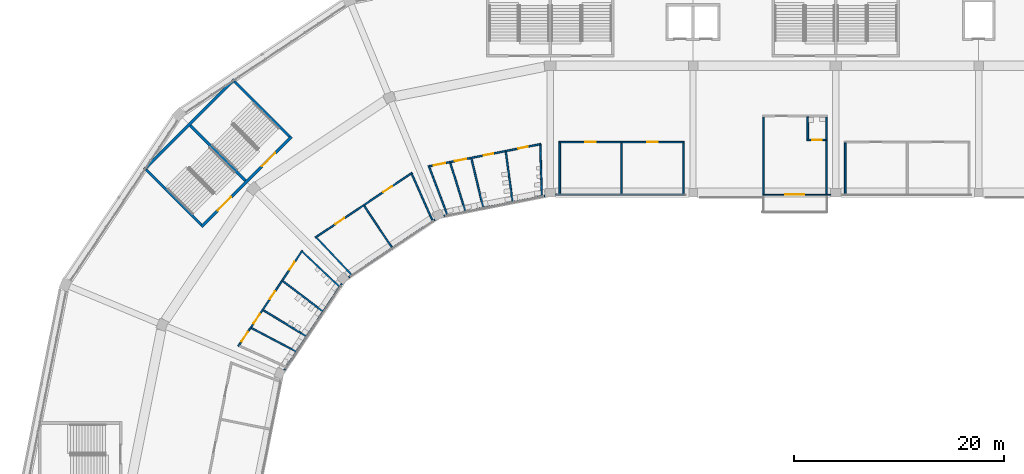
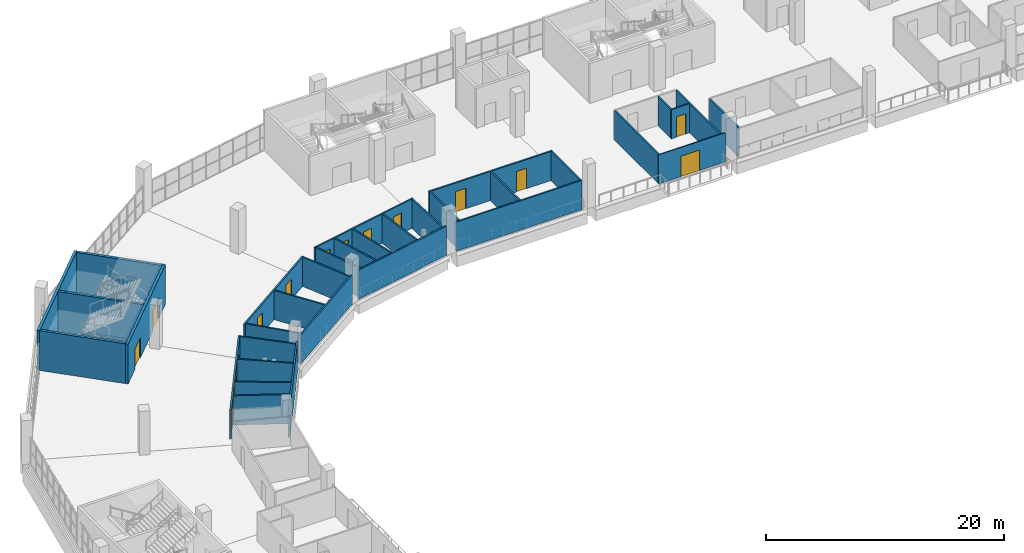
# One storey, part 83 of 199: 34 walls, 16 doors, 16 openings.
"""IFC4 building model written with IfcOpenShell, lengths in metres."""

import ifcopenshell
import ifcopenshell.guid

model = None  # the IFC model being written
_history = None  # IfcOwnerHistory: only IFC2X3 demands one
_inside = {}  # id of a spatial element -> (the spatial element, [elements in it])
_under = {}  # id of a project, library or spatial element -> (it, [spatial elements below it])
_declared = {}  # id of a project -> (the project, [libraries it declares])
_typed = {}  # id of a type object -> (the type object, [elements of that type])
_made_of = {}  # id of a material, layer set ... -> (it, [elements and type objects made of it])


def new_model(schema):
    """Start an empty IFC model of exactly this schema.

    Asked for "IFC4X3", IfcOpenShell would pick the latest addendum, in which some entities
    have other attributes; the version numbers below select the first issue.
    IFC2X3 requires an IfcOwnerHistory on every rooted entity: one is made here for all.
    """
    global model, _history
    if schema == "IFC4X3":
        model = ifcopenshell.file(schema_version=(4, 3, 0, 0))
    else:
        model = ifcopenshell.file(schema=schema)
    _inside.clear()
    _under.clear()
    _declared.clear()
    _typed.clear()
    _made_of.clear()
    _history = None
    if model.schema == "IFC2X3":
        org = make("IfcOrganization", Name="unknown")
        user = make(
            "IfcPersonAndOrganization",
            ThePerson=make("IfcPerson", FamilyName="unknown"),
            TheOrganization=org,
        )
        app = make(
            "IfcApplication",
            ApplicationDeveloper=org,
            Version="unknown",
            ApplicationFullName="unknown",
            ApplicationIdentifier="unknown",
        )
        _history = make(
            "IfcOwnerHistory",
            OwningUser=user,
            OwningApplication=app,
            ChangeAction="ADDED",
            CreationDate=0,
        )
    return model


def make(cls, **values):
    """One entity of the class cls with the attributes given. An attribute that is None is left unset."""
    return model.create_entity(
        cls, **{name: value for name, value in values.items() if value is not None}
    )


def rooted(cls, **values):
    """An entity with a GlobalId (a new one), such as an element, a storey or a relation."""
    return make(cls, GlobalId=ifcopenshell.guid.new(), OwnerHistory=_history, **values)


def si_unit(unit_type, name, prefix=None):
    """IfcSIUnit, for example si_unit("LENGTHUNIT", "METRE", prefix="MILLI")."""
    return make("IfcSIUnit", UnitType=unit_type, Prefix=prefix, Name=name)


def assignment(units):
    """IfcUnitAssignment: the units of a project."""
    return None if units is None else make("IfcUnitAssignment", Units=units)


def point(xyz):
    """IfcCartesianPoint."""
    return None if xyz is None else make("IfcCartesianPoint", Coordinates=xyz)


def direction(xyz):
    """IfcDirection."""
    return None if xyz is None else make("IfcDirection", DirectionRatios=xyz)


def frame(location, z_axis=None, x_axis=None):
    """IfcAxis2Placement3D, a coordinate frame: its origin and axes. An axis left out is left unset."""
    return make(
        "IfcAxis2Placement3D",
        Location=point(location),
        Axis=direction(z_axis),
        RefDirection=direction(x_axis),
    )


def frame_2d(location, x_axis=None):
    """IfcAxis2Placement2D, a coordinate frame in the plane: its origin and x axis."""
    return make(
        "IfcAxis2Placement2D", Location=point(location), RefDirection=direction(x_axis)
    )


def origin():
    """The frame at (0, 0, 0) with its axes left unset."""
    return frame((0.0, 0.0, 0.0))


def place(relative_to, where):
    """IfcLocalPlacement: puts the frame where relative to a parent placement (None: the world)."""
    return make(
        "IfcLocalPlacement", PlacementRelTo=relative_to, RelativePlacement=where
    )


def context(
    kind, dimensions, precision=None, world=None, true_north=None, identifier=None
):
    """IfcGeometricRepresentationContext, for example the 3D "Model" context."""
    return make(
        "IfcGeometricRepresentationContext",
        ContextIdentifier=identifier,
        ContextType=kind,
        CoordinateSpaceDimension=dimensions,
        Precision=precision,
        WorldCoordinateSystem=world,
        TrueNorth=true_north,
    )


def subcontext(parent, identifier, kind, view, scale=None):
    """IfcGeometricRepresentationSubContext, for example "Body" below "Model"."""
    return make(
        "IfcGeometricRepresentationSubContext",
        ContextIdentifier=identifier,
        ContextType=kind,
        ParentContext=parent,
        TargetScale=scale,
        TargetView=view,
    )


def project(units=None, contexts=None):
    """IfcProject with its units and contexts."""
    return rooted(
        "IfcProject",
        Name="project",
        RepresentationContexts=contexts,
        UnitsInContext=assignment(units),
    )


def spatial(cls, under=None, at=None, **own):
    """A site, building, storey or space (cls), placed at a placement, below another one or the project."""
    s = rooted(cls, ObjectPlacement=at, **own)
    if under is not None:
        _under.setdefault(under.id(), (under, []))[1].append(s)
    return s


def profile(cls, at=None, kind="AREA", **sizes):
    """A parametric profile (cls). Its sizes go by their IFC names, for example OverallWidth=200.0."""
    return make(cls, ProfileType=kind, Position=at, **sizes)


def rectangle(**sizes):
    """IfcRectangleProfileDef."""
    return profile("IfcRectangleProfileDef", **sizes)


def extrude(swept, where, along, depth):
    """IfcExtrudedAreaSolid: the profile swept, set in the frame where, extruded along a direction by depth."""
    return make(
        "IfcExtrudedAreaSolid",
        SweptArea=swept,
        Position=where,
        ExtrudedDirection=direction(along),
        Depth=depth,
    )


def shape(context_of_items, identifier, shape_type, items):
    """IfcShapeRepresentation: the items that make up one representation, for example the "Body"."""
    return make(
        "IfcShapeRepresentation",
        ContextOfItems=context_of_items,
        RepresentationIdentifier=identifier,
        RepresentationType=shape_type,
        Items=items,
    )


def material(Name=None, Category=None):
    """IfcMaterial."""
    return make("IfcMaterial", Name=Name, Category=Category)


def layer(
    of_material, thickness, ventilated=None, Name=None, Category=None, Priority=None
):
    """IfcMaterialLayer: one layer of a wall or slab, of a material (None: an air gap)."""
    return make(
        "IfcMaterialLayer",
        Material=of_material,
        LayerThickness=thickness,
        IsVentilated=ventilated,
        Name=Name,
        Category=Category,
        Priority=Priority,
    )


def layer_set(layers, Name=None):
    """IfcMaterialLayerSet."""
    return make("IfcMaterialLayerSet", MaterialLayers=layers, LayerSetName=Name)


def made_of(thing, what):
    """Note that an element or type object is made of a material, layer set ...; save() writes the relation."""
    if what is not None:
        _made_of.setdefault(what.id(), (what, []))[1].append(thing)
    return thing


def type_object(cls, material=None, **own):
    """A type object (cls), such as IfcWallType, which elements share."""
    return made_of(rooted(cls, **own), material)


def element(
    cls,
    number,
    at=None,
    inside=None,
    cuts=None,
    type_object=None,
    material=None,
    context=None,
    identifier="Body",
    shape_type=None,
    held_by="IfcProductDefinitionShape",
    body=None,
    shapes=None,
    **own,
):
    """One element of the class cls, such as IfcWall. Its Tag is "e" and its number.

    at: its placement. inside: the storey or other place that contains it. cuts: it is an
    opening in that element (IfcRelVoidsElement). A single representation is given by context,
    identifier, shape_type and body (its items); several are given by shapes. held_by: the class
    of the entity that holds the representations. save() writes the other relations.
    """
    e = rooted(cls, Tag="e%d" % number, ObjectPlacement=at, **own)
    if body is not None:
        shapes = [shape(context, identifier, shape_type, body)]
    if shapes is not None:
        e.Representation = make(held_by, Representations=shapes)
    if inside is not None:
        _inside.setdefault(inside.id(), (inside, []))[1].append(e)
    if cuts is not None:
        rooted(
            "IfcRelVoidsElement", RelatingBuildingElement=cuts, RelatedOpeningElement=e
        )
    if type_object is not None:
        _typed.setdefault(type_object.id(), (type_object, []))[1].append(e)
    return made_of(e, material)


def fill(opening, filler):
    """IfcRelFillsElement: the door or window that sits in an opening."""
    return rooted(
        "IfcRelFillsElement",
        RelatingOpeningElement=opening,
        RelatedBuildingElement=filler,
    )


def aggregate(whole, parts):
    """IfcRelAggregates: a whole, such as a stair, and the parts it consists of."""
    return rooted("IfcRelAggregates", RelatingObject=whole, RelatedObjects=parts)


def save(model, path):
    """Write the relations noted so far, then the file.

    IfcRelAggregates (storeys below a building ...), IfcRelContainedInSpatialStructure (elements
    in a storey), IfcRelDefinesByType, IfcRelAssociatesMaterial and IfcRelDeclares: one each for
    every whole, place, type object, material and project.
    """
    for whole, parts in _under.values():
        aggregate(whole, parts)
    for where, things in _inside.values():
        rooted(
            "IfcRelContainedInSpatialStructure",
            RelatedElements=things,
            RelatingStructure=where,
        )
    for kind, things in _typed.values():
        rooted("IfcRelDefinesByType", RelatedObjects=things, RelatingType=kind)
    for what, things in _made_of.values():
        rooted("IfcRelAssociatesMaterial", RelatedObjects=things, RelatingMaterial=what)
    for by, libraries in _declared.values():
        rooted("IfcRelDeclares", RelatingContext=by, RelatedDefinitions=libraries)
    model.write(path)


model = new_model("IFC4")

# Units and contexts
model_context = context("Model", 3, precision=1e-05, world=origin(), true_north=direction((0.0, 1.0)))
body_context = subcontext(model_context, "Body", "Model", "MODEL_VIEW")
ifc_project = project(units=[si_unit("LENGTHUNIT", "METRE"), si_unit("AREAUNIT", "SQUARE_METRE"), si_unit("VOLUMEUNIT", "CUBIC_METRE"), si_unit("PLANEANGLEUNIT", "RADIAN"), si_unit("MASSUNIT", "GRAM", prefix="KILO")], contexts=[model_context])

# Site, building, storey
site_placement = place(None, origin())
site = spatial("IfcSite", under=ifc_project, at=site_placement, CompositionType="ELEMENT")
building_placement = place(site_placement, origin())
building = spatial("IfcBuilding", under=site, at=building_placement, Name="Ogive Plaza Stadium", CompositionType="ELEMENT")
storey_placement = place(building_placement, frame((0.0, 0.0, 9.0)))
storey = spatial("IfcBuildingStorey", under=building, at=storey_placement, Name="L02", CompositionType="ELEMENT", Elevation=9.0)

# Wall
ifc_material_1 = material(Name="Masonry blockwork", Category="masonry")
ifc_layer_1 = layer(ifc_material_1, 0.14990234375)
ifc_layer_set_1 = layer_set([ifc_layer_1], Name="Blockwork wall 150")
wall_type_1 = type_object("IfcWallType", Name="Blockwork wall 150", PredefinedType="SOLIDWALL", material=ifc_layer_set_1)
wall_1_placement = place(storey_placement, frame((-53.205322265625, 72.341796875, 0.0), z_axis=(0.0, 0.0, 1.0), x_axis=(0.831461186136, 0.555582843463, 0.0)))
element("IfcWall", 1, at=wall_1_placement, inside=storey, type_object=wall_type_1, Name="Wall L02 B30", PredefinedType="SOLIDWALL", context=body_context, shape_type="SweptSolid", body=[
    extrude(rectangle(XDim=9.890380859375, YDim=0.14990234375, at=frame_2d((4.9453125, 0.0))), origin(), (0.0, 0.0, 1.0), 3.0),
])

# Wall, openings, doors
wall_2_placement = place(storey_placement, frame((-56.379638671875, 76.11865234375, 0.0), z_axis=(0.0, 0.0, 1.0), x_axis=(0.831471162003, 0.555567913722, 0.0)))
wall_2 = element("IfcWall", 2, at=wall_2_placement, inside=storey, type_object=wall_type_1, Name="Wall L02 B30", PredefinedType="SOLIDWALL", context=body_context, shape_type="SweptSolid", body=[
    extrude(rectangle(XDim=11.09912109375, YDim=0.14990234375, at=frame_2d((5.549560546875, 0.0))), origin(), (0.0, 0.0, 1.0), 3.0),
])
opening_1_placement = place(wall_2_placement, frame((2.3154296875, 0.0, 0.0)))
opening_1 = element("IfcOpeningElement", 3, at=opening_1_placement, cuts=wall_2, Name="Opening D0719", PredefinedType="OPENING", context=body_context, shape_type="SweptSolid", body=[
    extrude(rectangle(XDim=1.0, YDim=2.10009765625, at=frame_2d((0.5, 1.050048828125))), frame((0.0, 0.074951171875, 0.0), z_axis=(0.0, -1.0, 0.0), x_axis=(1.0, 0.0, 0.0)), (0.0, 0.0, 1.0), 0.14990234375),
])
opening_2_placement = place(wall_2_placement, frame((7.78369140625, 0.0, 0.0)))
opening_2 = element("IfcOpeningElement", 4, at=opening_2_placement, cuts=wall_2, Name="Opening D0720", PredefinedType="OPENING", context=body_context, shape_type="SweptSolid", body=[
    extrude(rectangle(XDim=1.0, YDim=2.10009765625, at=frame_2d((0.5, 1.050048828125))), frame((0.0, 0.074951171875, 0.0), z_axis=(0.0, -1.0, 0.0), x_axis=(1.0, 0.0, 0.0)), (0.0, 0.0, 1.0), 0.14990234375),
])
ifc_material_2 = material(Name="Steel ASTM A572 Grade 50", Category="steel")
door_type_1 = type_object("IfcDoorType", Name="Fire door FD60 1000 x 2100", OperationType="SINGLE_SWING_LEFT", PredefinedType="DOOR", material=ifc_material_2)
door_1_placement = place(opening_1_placement, origin())
door_1 = element("IfcDoor", 5, at=door_1_placement, inside=storey, type_object=door_type_1, Name="Hospitality Pantry B30 door", OperationType="SINGLE_SWING_LEFT", OverallHeight=2.10009765625, OverallWidth=1.0, PredefinedType="DOOR", context=body_context, shape_type="SweptSolid", body=[
    extrude(rectangle(XDim=1.0, YDim=2.10009765625, at=frame_2d((0.5, 1.050048828125))), frame((0.0, 0.02490234375, 0.0), z_axis=(0.0, -1.0, 0.0), x_axis=(1.0, 0.0, 0.0)), (0.0, 0.0, 1.0), 0.050048828125),
])
fill(opening_1, door_1)
door_2_placement = place(opening_2_placement, origin())
door_2 = element("IfcDoor", 6, at=door_2_placement, inside=storey, type_object=door_type_1, Name="Hospitality Store B30 door", OperationType="SINGLE_SWING_RIGHT", OverallHeight=2.10009765625, OverallWidth=1.0, PredefinedType="DOOR", context=body_context, shape_type="SweptSolid", body=[
    extrude(rectangle(XDim=1.0, YDim=2.10009765625, at=frame_2d((0.5, 1.050048828125))), frame((0.0, 0.02490234375, 0.0), z_axis=(0.0, -1.0, 0.0), x_axis=(1.0, 0.0, 0.0)), (0.0, 0.0, 1.0), 0.050048828125),
])
fill(opening_2, door_2)

# Walls
wall_3_placement = place(storey_placement, frame((-52.95166015625, 72.599853515625, 0.0), z_axis=(0.0, 0.0, 1.0), x_axis=(-0.686025882093, 0.727577136184, 0.0)))
element("IfcWall", 7, at=wall_3_placement, inside=storey, type_object=wall_type_1, Name="Wall L02 B30", PredefinedType="SOLIDWALL", context=body_context, shape_type="SweptSolid", body=[
    extrude(rectangle(XDim=4.823974609375, YDim=0.14990234375, at=frame_2d((2.412109375, 0.0))), origin(), (0.0, 0.0, 1.0), 3.0),
])
wall_4_placement = place(storey_placement, frame((-49.089599609375, 75.18017578125, 0.0), z_axis=(0.0, 0.0, 1.0), x_axis=(-0.553930112441, 0.832563169093, 0.0)))
element("IfcWall", 8, at=wall_4_placement, inside=storey, type_object=wall_type_1, Name="Wall L02 B30", PredefinedType="SOLIDWALL", context=body_context, shape_type="SweptSolid", body=[
    extrude(rectangle(XDim=4.7568359375, YDim=0.14990234375, at=frame_2d((2.37841796875, 0.0))), origin(), (0.0, 0.0, 1.0), 3.0),
])
wall_5_placement = place(storey_placement, frame((-45.227783203125, 77.7607421875, 0.0), z_axis=(0.0, 0.0, 1.0), x_axis=(-0.406147851791, 0.913807377124, 0.0)))
element("IfcWall", 9, at=wall_5_placement, inside=storey, type_object=wall_type_1, Name="Wall L02 B30", PredefinedType="SOLIDWALL", context=body_context, shape_type="SweptSolid", body=[
    extrude(rectangle(XDim=4.826904296875, YDim=0.14990234375, at=frame_2d((2.41357421875, 0.0))), origin(), (0.0, 0.0, 1.0), 3.0),
])
wall_6_placement = place(storey_placement, frame((-33.5, 80.199951171875, 0.0), z_axis=(0.0, 0.0, 1.0), x_axis=(1.0, 0.0, 0.0)))
element("IfcWall", 10, at=wall_6_placement, inside=storey, type_object=wall_type_1, Name="Wall L02 B32", PredefinedType="SOLIDWALL", context=body_context, shape_type="SweptSolid", body=[
    extrude(rectangle(XDim=12.27490234375, YDim=0.14990234375, at=frame_2d((6.137451171875, 0.0))), origin(), (0.0, 0.0, 1.0), 3.0),
])

# Wall, openings, doors
wall_7_placement = place(storey_placement, frame((-33.175048828125, 85.199951171875, 0.0), z_axis=(0.0, 0.0, 1.0), x_axis=(1.0, 0.0, 0.0)))
wall_7 = element("IfcWall", 11, at=wall_7_placement, inside=storey, type_object=wall_type_1, Name="Wall L02 B32", PredefinedType="SOLIDWALL", context=body_context, shape_type="SweptSolid", body=[
    extrude(rectangle(XDim=11.949951171875, YDim=0.14990234375, at=frame_2d((5.97509765625, 0.0))), origin(), (0.0, 0.0, 1.0), 3.0),
])
opening_3_placement = place(wall_7_placement, frame((2.52490234375, 0.0, 0.0)))
opening_3 = element("IfcOpeningElement", 12, at=opening_3_placement, cuts=wall_7, Name="Opening D0725", PredefinedType="OPENING", context=body_context, shape_type="SweptSolid", body=[
    extrude(rectangle(XDim=1.0, YDim=2.10009765625, at=frame_2d((0.5, 1.050048828125))), frame((0.0, 0.074951171875, 0.0), z_axis=(0.0, -1.0, 0.0), x_axis=(1.0, 0.0, 0.0)), (0.0, 0.0, 1.0), 0.14990234375),
])
opening_4_placement = place(wall_7_placement, frame((8.425048828125, 0.0, 0.0)))
opening_4 = element("IfcOpeningElement", 13, at=opening_4_placement, cuts=wall_7, Name="Opening D0726", PredefinedType="OPENING", context=body_context, shape_type="SweptSolid", body=[
    extrude(rectangle(XDim=1.0, YDim=2.10009765625, at=frame_2d((0.5, 1.050048828125))), frame((0.0, 0.074951171875, 0.0), z_axis=(0.0, -1.0, 0.0), x_axis=(1.0, 0.0, 0.0)), (0.0, 0.0, 1.0), 0.14990234375),
])
door_3_placement = place(opening_3_placement, origin())
door_3 = element("IfcDoor", 14, at=door_3_placement, inside=storey, type_object=door_type_1, Name="Hospitality Pantry B32 door", OperationType="SINGLE_SWING_RIGHT", OverallHeight=2.10009765625, OverallWidth=1.0, PredefinedType="DOOR", context=body_context, shape_type="SweptSolid", body=[
    extrude(rectangle(XDim=1.0, YDim=2.10009765625, at=frame_2d((0.5, 1.050048828125))), frame((0.0, 0.02490234375, 0.0), z_axis=(0.0, -1.0, 0.0), x_axis=(1.0, 0.0, 0.0)), (0.0, 0.0, 1.0), 0.050048828125),
])
fill(opening_3, door_3)
door_4_placement = place(opening_4_placement, origin())
door_4 = element("IfcDoor", 15, at=door_4_placement, inside=storey, type_object=door_type_1, Name="Hospitality Store B32 door", OperationType="SINGLE_SWING_LEFT", OverallHeight=2.10009765625, OverallWidth=1.0, PredefinedType="DOOR", context=body_context, shape_type="SweptSolid", body=[
    extrude(rectangle(XDim=1.0, YDim=2.10009765625, at=frame_2d((0.5, 1.050048828125))), frame((0.0, 0.02490234375, 0.0), z_axis=(0.0, -1.0, 0.0), x_axis=(1.0, 0.0, 0.0)), (0.0, 0.0, 1.0), 0.050048828125),
])
fill(opening_4, door_4)

# Walls
for number, where, z_axis, x_axis, name in (
    (16, (-33.10009765625, 80.27490234375, 0.0), (0.0, 0.0, 1.0), (0.0, 1.0, 0.0), "Wall L02 B32"),
    (17, (-27.199951171875, 80.27490234375, 0.0), (0.0, 0.0, 1.0), (0.0, 1.0, 0.0), "Wall L02 B32"),
    (18, (-21.300048828125, 80.27490234375, 0.0), (0.0, 0.0, 1.0), (0.0, 1.0, 0.0), "Wall L02 B32"),
):
    element("IfcWall", number, at=place(storey_placement, frame(where, z_axis=z_axis, x_axis=x_axis)), inside=storey, type_object=wall_type_1, Name=name, PredefinedType="SOLIDWALL", context=body_context, shape_type="SweptSolid", body=[
        extrude(rectangle(XDim=4.85009765625, YDim=0.14990234375, at=frame_2d((2.425048828125, 0.0))), origin(), (0.0, 0.0, 1.0), 3.0),
    ])
for number, where, z_axis, x_axis, name in (
    (19, (-7.699951171875, 80.25, 0.0), (0.0, 0.0, 1.0), (0.0, 1.0, 0.0), "Wall L02 B33"),
    (20, (-13.699951171875, 80.25, 0.0), (0.0, 0.0, 1.0), (0.0, 1.0, 0.0), "Wall L02 B33"),
):
    element("IfcWall", number, at=place(storey_placement, frame(where, z_axis=z_axis, x_axis=x_axis)), inside=storey, type_object=wall_type_1, Name=name, PredefinedType="SOLIDWALL", context=body_context, shape_type="SweptSolid", body=[
        extrude(rectangle(XDim=7.375, YDim=0.14990234375, at=frame_2d((3.6875, 0.0))), origin(), (0.0, 0.0, 1.0), 3.0),
    ])
wall_8_placement = place(storey_placement, frame((-5.89990234375, 80.27490234375, 0.0), z_axis=(0.0, 0.0, 1.0), x_axis=(0.0, 1.0, 0.0)))
element("IfcWall", 21, at=wall_8_placement, inside=storey, type_object=wall_type_1, Name="Wall L02 B34", PredefinedType="SOLIDWALL", context=body_context, shape_type="SweptSolid", body=[
    extrude(rectangle(XDim=4.85009765625, YDim=0.14990234375, at=frame_2d((2.425048828125, 0.0))), origin(), (0.0, 0.0, 1.0), 3.0),
])

# Wall, openings, doors
ifc_material_3 = material(Name="Concrete C40/50", Category="concrete")
ifc_layer_2 = layer(ifc_material_3, 0.25)
ifc_layer_set_2 = layer_set([ifc_layer_2], Name="Concrete C40/50")
wall_type_2 = type_object("IfcWallType", Name="Core wall 250", PredefinedType="SHEAR", material=ifc_layer_set_2)
wall_9_placement = place(storey_placement, frame((-58.642578125, 85.734130859375, 0.0), z_axis=(0.0, 0.0, 1.0), x_axis=(-0.707106781187, -0.707106781187, 0.0)))
wall_9 = element("IfcWall", 22, at=wall_9_placement, inside=storey, type_object=wall_type_2, Name="Stair core R30 inner wall", PredefinedType="SHEAR", context=body_context, shape_type="SweptSolid", body=[
    extrude(rectangle(XDim=12.150390625, YDim=0.25, at=frame_2d((6.0751953125, 0.0))), origin(), (0.0, 0.0, 1.0), 4.090087890625),
])
opening_5_placement = place(wall_9_placement, frame((2.199951171875, 0.0, 0.0)))
opening_5 = element("IfcOpeningElement", 23, at=opening_5_placement, cuts=wall_9, Name="Opening D0225", PredefinedType="OPENING", context=body_context, shape_type="SweptSolid", body=[
    extrude(rectangle(XDim=1.800048828125, YDim=2.10009765625, at=frame_2d((0.89990234375, 1.050048828125))), frame((0.0, 0.125, 0.0), z_axis=(0.0, -1.0, 0.0), x_axis=(1.0, 0.0, 0.0)), (0.0, 0.0, 1.0), 0.25),
])
opening_6_placement = place(wall_9_placement, frame((8.14990234375, 0.0, 0.0)))
opening_6 = element("IfcOpeningElement", 24, at=opening_6_placement, cuts=wall_9, Name="Opening D0226", PredefinedType="OPENING", context=body_context, shape_type="SweptSolid", body=[
    extrude(rectangle(XDim=1.800048828125, YDim=2.10009765625, at=frame_2d((0.89990234375, 1.050048828125))), frame((0.0, 0.125, 0.0), z_axis=(0.0, -1.0, 0.0), x_axis=(1.0, 0.0, 0.0)), (0.0, 0.0, 1.0), 0.25),
])
ifc_material_4 = material(Name="Steel ASTM A572 Grade 50", Category="steel")
door_type_2 = type_object("IfcDoorType", Name="Fire door FD90 pair 1800 x 2100", OperationType="DOUBLE_DOOR_SINGLE_SWING", PredefinedType="DOOR", material=ifc_material_4)
door_5_placement = place(opening_5_placement, origin())
door_5 = element("IfcDoor", 25, at=door_5_placement, inside=storey, type_object=door_type_2, Name="Exit stair R30A door L02", OperationType="DOUBLE_DOOR_SINGLE_SWING", OverallHeight=2.10009765625, OverallWidth=1.800048828125, PredefinedType="DOOR", context=body_context, shape_type="SweptSolid", body=[
    extrude(rectangle(XDim=1.800048828125, YDim=2.10009765625, at=frame_2d((0.89990234375, 1.050048828125))), frame((0.0, 0.02490234375, 0.0), z_axis=(0.0, -1.0, 0.0), x_axis=(1.0, 0.0, 0.0)), (0.0, 0.0, 1.0), 0.050048828125),
])
fill(opening_5, door_5)
door_6_placement = place(opening_6_placement, origin())
door_6 = element("IfcDoor", 26, at=door_6_placement, inside=storey, type_object=door_type_2, Name="Exit stair R30B door L02", OperationType="DOUBLE_DOOR_SINGLE_SWING", OverallHeight=2.10009765625, OverallWidth=1.800048828125, PredefinedType="DOOR", context=body_context, shape_type="SweptSolid", body=[
    extrude(rectangle(XDim=1.800048828125, YDim=2.10009765625, at=frame_2d((0.89990234375, 1.050048828125))), frame((0.0, 0.02490234375, 0.0), z_axis=(0.0, -1.0, 0.0), x_axis=(1.0, 0.0, 0.0)), (0.0, 0.0, 1.0), 0.050048828125),
])
fill(opening_6, door_6)

# Walls
wall_10_placement = place(storey_placement, frame((-64.094482421875, 91.185791015625, 0.0), z_axis=(0.0, 0.0, 1.0), x_axis=(-0.707106781187, -0.707106781187, 0.0)))
element("IfcWall", 27, at=wall_10_placement, inside=storey, type_object=wall_type_2, Name="Stair core R30 outer wall", PredefinedType="SHEAR", context=body_context, shape_type="SweptSolid", body=[
    extrude(rectangle(XDim=12.14990234375, YDim=0.25, at=frame_2d((6.074951171875, 0.0))), origin(), (0.0, 0.0, 1.0), 4.090087890625),
])
for number, where, z_axis, x_axis, name in (
    (28, (-58.8193359375, 85.734130859375, 0.0), (0.0, 0.0, 1.0), (-0.707123144286, 0.707090417709, 0.0), "Stair core R30 side wall"),
    (29, (-67.234130859375, 77.3193359375, 0.0), (0.0, 0.0, 1.0), (-0.707090417709, 0.707123144286, 0.0), "Stair core R30 side wall"),
):
    element("IfcWall", number, at=place(storey_placement, frame(where, z_axis=z_axis, x_axis=x_axis)), inside=storey, type_object=wall_type_2, Name=name, PredefinedType="SHEAR", context=body_context, shape_type="SweptSolid", body=[
        extrude(rectangle(XDim=7.4599609375, YDim=0.25, at=frame_2d((3.72998046875, 0.0))), origin(), (0.0, 0.0, 1.0), 4.090087890625),
    ])
wall_11_placement = place(storey_placement, frame((-63.026611328125, 81.526611328125, 0.0), z_axis=(0.0, 0.0, 1.0), x_axis=(-0.707106781187, 0.707106781187, 0.0)))
element("IfcWall", 30, at=wall_11_placement, inside=storey, type_object=wall_type_2, Name="Stair core R30 centre wall", PredefinedType="SHEAR", context=body_context, shape_type="SweptSolid", body=[
    extrude(rectangle(XDim=7.460205078125, YDim=0.25, at=frame_2d((3.72998046875, 0.0))), origin(), (0.0, 0.0, 1.0), 4.090087890625),
])

# Wall, opening, door
ifc_material_5 = material(Name="Laminated glass in aluminium frame", Category="aluminium")
ifc_layer_3 = layer(ifc_material_5, 0.10009765625)
ifc_layer_set_3 = layer_set([ifc_layer_3], Name="Glazed partition 100")
wall_type_3 = type_object("IfcWallType", Name="Glazed partition 100", PredefinedType="PARTITIONING", material=ifc_layer_set_3)
wall_12_placement = place(storey_placement, frame((-7.300048828125, 80.199951171875, 0.0), z_axis=(0.0, 0.0, 1.0), x_axis=(-1.0, 0.0, 0.0)))
wall_12 = element("IfcWall", 31, at=wall_12_placement, inside=storey, type_object=wall_type_3, Name="Wall L02 B33", PredefinedType="PARTITIONING", context=body_context, shape_type="SweptSolid", body=[
    extrude(rectangle(XDim=6.474853515625, YDim=0.10009765625, at=frame_2d((3.2373046875, 0.0))), origin(), (0.0, 0.0, 1.0), 3.0),
])
opening_7_placement = place(wall_12_placement, frame((2.5, 0.0, 0.0)))
opening_7 = element("IfcOpeningElement", 32, at=opening_7_placement, cuts=wall_12, Name="Opening D0728", PredefinedType="OPENING", context=body_context, shape_type="SweptSolid", body=[
    extrude(rectangle(XDim=1.800048828125, YDim=2.10009765625, at=frame_2d((0.89990234375, 1.050048828125))), frame((0.0, 0.050048828125, 0.0), z_axis=(0.0, -1.0, 0.0), x_axis=(1.0, 0.0, 0.0)), (0.0, 0.0, 1.0), 0.10009765625),
])
ifc_material_6 = material(Name="Steel ASTM A572 Grade 50", Category="steel")
door_type_3 = type_object("IfcDoorType", Name="Door pair 1800 x 2100", OperationType="DOUBLE_DOOR_SINGLE_SWING", PredefinedType="DOOR", material=ifc_material_6)
door_7_placement = place(opening_7_placement, origin())
door_7 = element("IfcDoor", 33, at=door_7_placement, inside=storey, type_object=door_type_3, Name="Suite terrace door B33", OperationType="DOUBLE_DOOR_SINGLE_SWING", OverallHeight=2.10009765625, OverallWidth=1.800048828125, PredefinedType="DOOR", context=body_context, shape_type="SweptSolid", body=[
    extrude(rectangle(XDim=1.800048828125, YDim=2.10009765625, at=frame_2d((0.89990234375, 1.050048828125))), frame((0.0, 0.02490234375, 0.0), z_axis=(0.0, -1.0, 0.0), x_axis=(1.0, 0.0, 0.0)), (0.0, 0.0, 1.0), 0.050048828125),
])
fill(opening_7, door_7)

# Wall
ifc_material_7 = material(Name="Gypsum board partition", Category="gypsum")
ifc_layer_4 = layer(ifc_material_7, 0.14990234375)
ifc_layer_set_4 = layer_set([ifc_layer_4], Name="Partition 150")
wall_type_4 = type_object("IfcWallType", Name="Partition 150", PredefinedType="PARTITIONING", material=ifc_layer_set_4)
wall_13_placement = place(storey_placement, frame((-53.841796875, 71.705322265625, 0.0), z_axis=(0.0, 0.0, 1.0), x_axis=(-0.555582843463, -0.831461186136, 0.0)))
element("IfcWall", 34, at=wall_13_placement, inside=storey, type_object=wall_type_4, Name="Wall L02 B29", PredefinedType="PARTITIONING", context=body_context, shape_type="SweptSolid", body=[
    extrude(rectangle(XDim=9.890380859375, YDim=0.14990234375, at=frame_2d((4.9453125, 0.0))), origin(), (0.0, 0.0, 1.0), 3.0),
])

# Wall, openings, doors
wall_14_placement = place(storey_placement, frame((-57.61865234375, 74.879638671875, 0.0), z_axis=(0.0, 0.0, 1.0), x_axis=(-0.555577934543, -0.831464466258, 0.0)))
wall_14 = element("IfcWall", 35, at=wall_14_placement, inside=storey, type_object=wall_type_4, Name="Wall L02 B29", PredefinedType="PARTITIONING", context=body_context, shape_type="SweptSolid", body=[
    extrude(rectangle(XDim=10.97216796875, YDim=0.14990234375, at=frame_2d((5.486083984375, 0.0))), origin(), (0.0, 0.0, 1.0), 3.0),
])
opening_8_placement = place(wall_14_placement, frame((1.306640625, 0.0, 0.0)))
opening_8 = element("IfcOpeningElement", 36, at=opening_8_placement, cuts=wall_14, Name="Opening D0715", PredefinedType="OPENING", context=body_context, shape_type="SweptSolid", body=[
    extrude(rectangle(XDim=0.89990234375, YDim=2.10009765625, at=frame_2d((0.449951171875, 1.050048828125))), frame((0.0, 0.074951171875, 0.0), z_axis=(0.0, -1.0, 0.0), x_axis=(1.0, 0.0, 0.0)), (0.0, 0.0, 1.0), 0.14990234375),
])
opening_9_placement = place(wall_14_placement, frame((4.65771484375, 0.0, 0.0)))
opening_9 = element("IfcOpeningElement", 37, at=opening_9_placement, cuts=wall_14, Name="Opening D0716", PredefinedType="OPENING", context=body_context, shape_type="SweptSolid", body=[
    extrude(rectangle(XDim=0.89990234375, YDim=2.10009765625, at=frame_2d((0.449951171875, 1.050048828125))), frame((0.0, 0.074951171875, 0.0), z_axis=(0.0, -1.0, 0.0), x_axis=(1.0, 0.0, 0.0)), (0.0, 0.0, 1.0), 0.14990234375),
])
opening_10_placement = place(wall_14_placement, frame((7.26025390625, 0.0, 0.0)))
opening_10 = element("IfcOpeningElement", 38, at=opening_10_placement, cuts=wall_14, Name="Opening D0717", PredefinedType="OPENING", context=body_context, shape_type="SweptSolid", body=[
    extrude(rectangle(XDim=1.10009765625, YDim=2.10009765625, at=frame_2d((0.550048828125, 1.050048828125))), frame((0.0, 0.074951171875, 0.0), z_axis=(0.0, -1.0, 0.0), x_axis=(1.0, 0.0, 0.0)), (0.0, 0.0, 1.0), 0.14990234375),
])
opening_11_placement = place(wall_14_placement, frame((9.314208984375, 0.0, 0.0)))
opening_11 = element("IfcOpeningElement", 39, at=opening_11_placement, cuts=wall_14, Name="Opening D0718", PredefinedType="OPENING", context=body_context, shape_type="SweptSolid", body=[
    extrude(rectangle(XDim=1.10009765625, YDim=2.10009765625, at=frame_2d((0.550048828125, 1.050048828125))), frame((0.0, 0.074951171875, 0.0), z_axis=(0.0, -1.0, 0.0), x_axis=(1.0, 0.0, 0.0)), (0.0, 0.0, 1.0), 0.14990234375),
])
ifc_material_8 = material(Name="Steel ASTM A572 Grade 50", Category="steel")
door_type_4 = type_object("IfcDoorType", Name="Accessible door 1100 x 2100", OperationType="SINGLE_SWING_LEFT", PredefinedType="DOOR", material=ifc_material_8)
door_8_placement = place(opening_10_placement, origin())
door_8 = element("IfcDoor", 40, at=door_8_placement, inside=storey, type_object=door_type_4, Name="Accessible WC B29 door", OperationType="SINGLE_SWING_LEFT", OverallHeight=2.10009765625, OverallWidth=1.10009765625, PredefinedType="DOOR", context=body_context, shape_type="SweptSolid", body=[
    extrude(rectangle(XDim=1.10009765625, YDim=2.10009765625, at=frame_2d((0.550048828125, 1.050048828125))), frame((0.0, 0.02490234375, 0.0), z_axis=(0.0, -1.0, 0.0), x_axis=(1.0, 0.0, 0.0)), (0.0, 0.0, 1.0), 0.050048828125),
])
fill(opening_10, door_8)
door_9_placement = place(opening_11_placement, origin())
door_9 = element("IfcDoor", 41, at=door_9_placement, inside=storey, type_object=door_type_4, Name="Family WC B29 door", OperationType="SINGLE_SWING_LEFT", OverallHeight=2.10009765625, OverallWidth=1.10009765625, PredefinedType="DOOR", context=body_context, shape_type="SweptSolid", body=[
    extrude(rectangle(XDim=1.10009765625, YDim=2.10009765625, at=frame_2d((0.550048828125, 1.050048828125))), frame((0.0, 0.02490234375, 0.0), z_axis=(0.0, -1.0, 0.0), x_axis=(1.0, 0.0, 0.0)), (0.0, 0.0, 1.0), 0.050048828125),
])
fill(opening_11, door_9)
ifc_material_9 = material(Name="Steel ASTM A572 Grade 50", Category="steel")
door_type_5 = type_object("IfcDoorType", Name="Door 900 x 2100", OperationType="SINGLE_SWING_LEFT", PredefinedType="DOOR", material=ifc_material_9)
door_10_placement = place(opening_8_placement, origin())
door_10 = element("IfcDoor", 42, at=door_10_placement, inside=storey, type_object=door_type_5, Name="Men's Toilet B29 door", OperationType="SINGLE_SWING_RIGHT", OverallHeight=2.10009765625, OverallWidth=0.89990234375, PredefinedType="DOOR", context=body_context, shape_type="SweptSolid", body=[
    extrude(rectangle(XDim=0.89990234375, YDim=2.10009765625, at=frame_2d((0.449951171875, 1.050048828125))), frame((0.0, 0.02490234375, 0.0), z_axis=(0.0, -1.0, 0.0), x_axis=(1.0, 0.0, 0.0)), (0.0, 0.0, 1.0), 0.050048828125),
])
fill(opening_8, door_10)
door_11_placement = place(opening_9_placement, origin())
door_11 = element("IfcDoor", 43, at=door_11_placement, inside=storey, type_object=door_type_5, Name="Women's Toilet B29 door", OperationType="SINGLE_SWING_RIGHT", OverallHeight=2.10009765625, OverallWidth=0.89990234375, PredefinedType="DOOR", context=body_context, shape_type="SweptSolid", body=[
    extrude(rectangle(XDim=0.89990234375, YDim=2.10009765625, at=frame_2d((0.449951171875, 1.050048828125))), frame((0.0, 0.02490234375, 0.0), z_axis=(0.0, -1.0, 0.0), x_axis=(1.0, 0.0, 0.0)), (0.0, 0.0, 1.0), 0.050048828125),
])
fill(opening_9, door_11)

# Walls
wall_15_placement = place(storey_placement, frame((-54.099853515625, 71.45166015625, 0.0), z_axis=(0.0, 0.0, 1.0), x_axis=(-0.727577136184, 0.686025882093, 0.0)))
element("IfcWall", 44, at=wall_15_placement, inside=storey, type_object=wall_type_4, Name="Wall L02 B29", PredefinedType="PARTITIONING", context=body_context, shape_type="SweptSolid", body=[
    extrude(rectangle(XDim=4.823974609375, YDim=0.14990234375, at=frame_2d((2.412109375, 0.0))), origin(), (0.0, 0.0, 1.0), 3.0),
])
wall_16_placement = place(storey_placement, frame((-55.68115234375, 69.0849609375, 0.0), z_axis=(0.0, 0.0, 1.0), x_axis=(-0.794266232117, 0.607569874597, 0.0)))
element("IfcWall", 45, at=wall_16_placement, inside=storey, type_object=wall_type_4, Name="Wall L02 B29", PredefinedType="PARTITIONING", context=body_context, shape_type="SweptSolid", body=[
    extrude(rectangle(XDim=4.7666015625, YDim=0.14990234375, at=frame_2d((2.38330078125, 0.0))), origin(), (0.0, 0.0, 1.0), 3.0),
])
wall_17_placement = place(storey_placement, frame((-57.262451171875, 66.71826171875, 0.0), z_axis=(0.0, 0.0, 1.0), x_axis=(-0.8532285882, 0.52153712838, 0.0)))
element("IfcWall", 46, at=wall_17_placement, inside=storey, type_object=wall_type_4, Name="Wall L02 B29", PredefinedType="PARTITIONING", context=body_context, shape_type="SweptSolid", body=[
    extrude(rectangle(XDim=4.7607421875, YDim=0.14990234375, at=frame_2d((2.38037109375, 0.0))), origin(), (0.0, 0.0, 1.0), 3.0),
])
wall_18_placement = place(storey_placement, frame((-58.231689453125, 65.267822265625, 0.0), z_axis=(0.0, 0.0, 1.0), x_axis=(-0.884698876091, 0.466162952886, 0.0)))
element("IfcWall", 47, at=wall_18_placement, inside=storey, type_object=wall_type_4, Name="Wall L02 B29", PredefinedType="PARTITIONING", context=body_context, shape_type="SweptSolid", body=[
    extrude(rectangle(XDim=4.78271484375, YDim=0.14990234375, at=frame_2d((2.391357421875, 0.0))), origin(), (0.0, 0.0, 1.0), 3.0),
])
wall_19_placement = place(storey_placement, frame((-34.5, 80.1005859375, 0.0), z_axis=(0.0, 0.0, 1.0), x_axis=(-0.980783419557, -0.195099676887, 0.0)))
element("IfcWall", 48, at=wall_19_placement, inside=storey, type_object=wall_type_4, Name="Wall L02 B31", PredefinedType="PARTITIONING", context=body_context, shape_type="SweptSolid", body=[
    extrude(rectangle(XDim=9.83935546875, YDim=0.14990234375, at=frame_2d((4.919677734375, 0.0))), origin(), (0.0, 0.0, 1.0), 3.0),
])

# Wall, openings, doors
wall_20_placement = place(storey_placement, frame((-34.876220703125, 85.025634765625, 0.0), z_axis=(0.0, 0.0, 1.0), x_axis=(-0.980788934186, -0.195071952313, 0.0)))
wall_20 = element("IfcWall", 49, at=wall_20_placement, inside=storey, type_object=wall_type_4, Name="Wall L02 B31", PredefinedType="PARTITIONING", context=body_context, shape_type="SweptSolid", body=[
    extrude(rectangle(XDim=10.97216796875, YDim=0.14990234375, at=frame_2d((5.486083984375, 0.0))), origin(), (0.0, 0.0, 1.0), 3.0),
])
opening_12_placement = place(wall_20_placement, frame((1.306640625, 0.0, 0.0)))
opening_12 = element("IfcOpeningElement", 50, at=opening_12_placement, cuts=wall_20, Name="Opening D0721", PredefinedType="OPENING", context=body_context, shape_type="SweptSolid", body=[
    extrude(rectangle(XDim=0.89990234375, YDim=2.10009765625, at=frame_2d((0.449951171875, 1.050048828125))), frame((0.0, 0.074951171875, 0.0), z_axis=(0.0, -1.0, 0.0), x_axis=(1.0, 0.0, 0.0)), (0.0, 0.0, 1.0), 0.14990234375),
])
opening_13_placement = place(wall_20_placement, frame((4.65771484375, 0.0, 0.0)))
opening_13 = element("IfcOpeningElement", 51, at=opening_13_placement, cuts=wall_20, Name="Opening D0722", PredefinedType="OPENING", context=body_context, shape_type="SweptSolid", body=[
    extrude(rectangle(XDim=0.89990234375, YDim=2.10009765625, at=frame_2d((0.449951171875, 1.050048828125))), frame((0.0, 0.074951171875, 0.0), z_axis=(0.0, -1.0, 0.0), x_axis=(1.0, 0.0, 0.0)), (0.0, 0.0, 1.0), 0.14990234375),
])
opening_14_placement = place(wall_20_placement, frame((7.26025390625, 0.0, 0.0)))
opening_14 = element("IfcOpeningElement", 52, at=opening_14_placement, cuts=wall_20, Name="Opening D0723", PredefinedType="OPENING", context=body_context, shape_type="SweptSolid", body=[
    extrude(rectangle(XDim=1.10009765625, YDim=2.10009765625, at=frame_2d((0.550048828125, 1.050048828125))), frame((0.0, 0.074951171875, 0.0), z_axis=(0.0, -1.0, 0.0), x_axis=(1.0, 0.0, 0.0)), (0.0, 0.0, 1.0), 0.14990234375),
])
opening_15_placement = place(wall_20_placement, frame((9.314208984375, 0.0, 0.0)))
opening_15 = element("IfcOpeningElement", 53, at=opening_15_placement, cuts=wall_20, Name="Opening D0724", PredefinedType="OPENING", context=body_context, shape_type="SweptSolid", body=[
    extrude(rectangle(XDim=1.10009765625, YDim=2.10009765625, at=frame_2d((0.550048828125, 1.050048828125))), frame((0.0, 0.074951171875, 0.0), z_axis=(0.0, -1.0, 0.0), x_axis=(1.0, 0.0, 0.0)), (0.0, 0.0, 1.0), 0.14990234375),
])
door_12_placement = place(opening_14_placement, origin())
door_12 = element("IfcDoor", 54, at=door_12_placement, inside=storey, type_object=door_type_4, Name="Accessible WC B31 door", OperationType="SINGLE_SWING_LEFT", OverallHeight=2.10009765625, OverallWidth=1.10009765625, PredefinedType="DOOR", context=body_context, shape_type="SweptSolid", body=[
    extrude(rectangle(XDim=1.10009765625, YDim=2.10009765625, at=frame_2d((0.550048828125, 1.050048828125))), frame((0.0, 0.02490234375, 0.0), z_axis=(0.0, -1.0, 0.0), x_axis=(1.0, 0.0, 0.0)), (0.0, 0.0, 1.0), 0.050048828125),
])
fill(opening_14, door_12)
door_13_placement = place(opening_15_placement, origin())
door_13 = element("IfcDoor", 55, at=door_13_placement, inside=storey, type_object=door_type_4, Name="Family WC B31 door", OperationType="SINGLE_SWING_LEFT", OverallHeight=2.10009765625, OverallWidth=1.10009765625, PredefinedType="DOOR", context=body_context, shape_type="SweptSolid", body=[
    extrude(rectangle(XDim=1.10009765625, YDim=2.10009765625, at=frame_2d((0.550048828125, 1.050048828125))), frame((0.0, 0.02490234375, 0.0), z_axis=(0.0, -1.0, 0.0), x_axis=(1.0, 0.0, 0.0)), (0.0, 0.0, 1.0), 0.050048828125),
])
fill(opening_15, door_13)
door_14_placement = place(opening_12_placement, origin())
door_14 = element("IfcDoor", 56, at=door_14_placement, inside=storey, type_object=door_type_5, Name="Men's Toilet B31 door", OperationType="SINGLE_SWING_RIGHT", OverallHeight=2.10009765625, OverallWidth=0.89990234375, PredefinedType="DOOR", context=body_context, shape_type="SweptSolid", body=[
    extrude(rectangle(XDim=0.89990234375, YDim=2.10009765625, at=frame_2d((0.449951171875, 1.050048828125))), frame((0.0, 0.02490234375, 0.0), z_axis=(0.0, -1.0, 0.0), x_axis=(1.0, 0.0, 0.0)), (0.0, 0.0, 1.0), 0.050048828125),
])
fill(opening_12, door_14)
door_15_placement = place(opening_13_placement, origin())
door_15 = element("IfcDoor", 57, at=door_15_placement, inside=storey, type_object=door_type_5, Name="Women's Toilet B31 door", OperationType="SINGLE_SWING_RIGHT", OverallHeight=2.10009765625, OverallWidth=0.89990234375, PredefinedType="DOOR", context=body_context, shape_type="SweptSolid", body=[
    extrude(rectangle(XDim=0.89990234375, YDim=2.10009765625, at=frame_2d((0.449951171875, 1.050048828125))), frame((0.0, 0.02490234375, 0.0), z_axis=(0.0, -1.0, 0.0), x_axis=(1.0, 0.0, 0.0)), (0.0, 0.0, 1.0), 0.050048828125),
])
fill(opening_13, door_15)

# Walls
wall_21_placement = place(storey_placement, frame((-34.811767578125, 80.113525390625, 0.0), z_axis=(0.0, 0.0, 1.0), x_axis=(-0.029405000692, 0.999567579473, 0.0)))
element("IfcWall", 58, at=wall_21_placement, inside=storey, type_object=wall_type_4, Name="Wall L02 B31", PredefinedType="PARTITIONING", context=body_context, shape_type="SweptSolid", body=[
    extrude(rectangle(XDim=4.823974609375, YDim=0.14990234375, at=frame_2d((2.412109375, 0.0))), origin(), (0.0, 0.0, 1.0), 3.0),
])
wall_22_placement = place(storey_placement, frame((-37.603515625, 79.55810546875, 0.0), z_axis=(0.0, 0.0, 1.0), x_axis=(-0.131992613728, 0.991250699834, 0.0)))
element("IfcWall", 59, at=wall_22_placement, inside=storey, type_object=wall_type_4, Name="Wall L02 B31", PredefinedType="PARTITIONING", context=body_context, shape_type="SweptSolid", body=[
    extrude(rectangle(XDim=4.7666015625, YDim=0.14990234375, at=frame_2d((2.38330078125, 0.0))), origin(), (0.0, 0.0, 1.0), 3.0),
])
wall_23_placement = place(storey_placement, frame((-40.395263671875, 79.0029296875, 0.0), z_axis=(0.0, 0.0, 1.0), x_axis=(-0.234563667056, 0.972100759231, 0.0)))
element("IfcWall", 60, at=wall_23_placement, inside=storey, type_object=wall_type_4, Name="Wall L02 B31", PredefinedType="PARTITIONING", context=body_context, shape_type="SweptSolid", body=[
    extrude(rectangle(XDim=4.7607421875, YDim=0.14990234375, at=frame_2d((2.38037109375, 0.0))), origin(), (0.0, 0.0, 1.0), 3.0),
])
wall_24_placement = place(storey_placement, frame((-42.106201171875, 78.66259765625, 0.0), z_axis=(0.0, 0.0, 1.0), x_axis=(-0.295972093403, 0.955196587058, 0.0)))
element("IfcWall", 61, at=wall_24_placement, inside=storey, type_object=wall_type_4, Name="Wall L02 B31", PredefinedType="PARTITIONING", context=body_context, shape_type="SweptSolid", body=[
    extrude(rectangle(XDim=4.78271484375, YDim=0.14990234375, at=frame_2d((2.391357421875, 0.0))), origin(), (0.0, 0.0, 1.0), 3.0),
])
wall_25_placement = place(storey_placement, frame((-43.817138671875, 78.322265625, 0.0), z_axis=(0.0, 0.0, 1.0), x_axis=(-0.35538492255, 0.934720041951, 0.0)))
element("IfcWall", 62, at=wall_25_placement, inside=storey, type_object=wall_type_4, Name="Wall L02 B31", PredefinedType="PARTITIONING", context=body_context, shape_type="SweptSolid", body=[
    extrude(rectangle(XDim=4.823974609375, YDim=0.14990234375, at=frame_2d((2.412109375, 0.0))), origin(), (0.0, 0.0, 1.0), 3.0),
])

# Wall, opening, door
wall_26_placement = place(storey_placement, frame((-7.77490234375, 85.425048828125, 0.0), z_axis=(0.0, 0.0, 1.0), x_axis=(-1.0, 0.0, 0.0)))
wall_26 = element("IfcWall", 63, at=wall_26_placement, inside=storey, type_object=wall_type_4, Name="Wall L02 B33", PredefinedType="PARTITIONING", context=body_context, shape_type="SweptSolid", body=[
    extrude(rectangle(XDim=1.775146484375, YDim=0.14990234375, at=frame_2d((0.8876953125, 0.0))), origin(), (0.0, 0.0, 1.0), 3.0),
])
opening_16_placement = place(wall_26_placement, frame((0.362548828125, 0.0, 0.0)))
opening_16 = element("IfcOpeningElement", 64, at=opening_16_placement, cuts=wall_26, Name="Opening D0729", PredefinedType="OPENING", context=body_context, shape_type="SweptSolid", body=[
    extrude(rectangle(XDim=0.89990234375, YDim=2.10009765625, at=frame_2d((0.449951171875, 1.050048828125))), frame((0.0, 0.074951171875, 0.0), z_axis=(0.0, -1.0, 0.0), x_axis=(1.0, 0.0, 0.0)), (0.0, 0.0, 1.0), 0.14990234375),
])
door_16_placement = place(opening_16_placement, origin())
door_16 = element("IfcDoor", 65, at=door_16_placement, inside=storey, type_object=door_type_5, Name="Suite WC B33 door", OperationType="SINGLE_SWING_RIGHT", OverallHeight=2.10009765625, OverallWidth=0.89990234375, PredefinedType="DOOR", context=body_context, shape_type="SweptSolid", body=[
    extrude(rectangle(XDim=0.89990234375, YDim=2.10009765625, at=frame_2d((0.449951171875, 1.050048828125))), frame((0.0, 0.02490234375, 0.0), z_axis=(0.0, -1.0, 0.0), x_axis=(1.0, 0.0, 0.0)), (0.0, 0.0, 1.0), 0.050048828125),
])
fill(opening_16, door_16)

# Wall
wall_27_placement = place(storey_placement, frame((-9.47509765625, 85.5, 0.0), z_axis=(0.0, 0.0, 1.0), x_axis=(0.0, 1.0, 0.0)))
element("IfcWall", 66, at=wall_27_placement, inside=storey, type_object=wall_type_4, Name="Wall L02 B33", PredefinedType="PARTITIONING", context=body_context, shape_type="SweptSolid", body=[
    extrude(rectangle(XDim=2.125, YDim=0.14990234375, at=frame_2d((1.0625, 0.0))), origin(), (0.0, 0.0, 1.0), 3.0),
])

save(model, "model.ifc")
